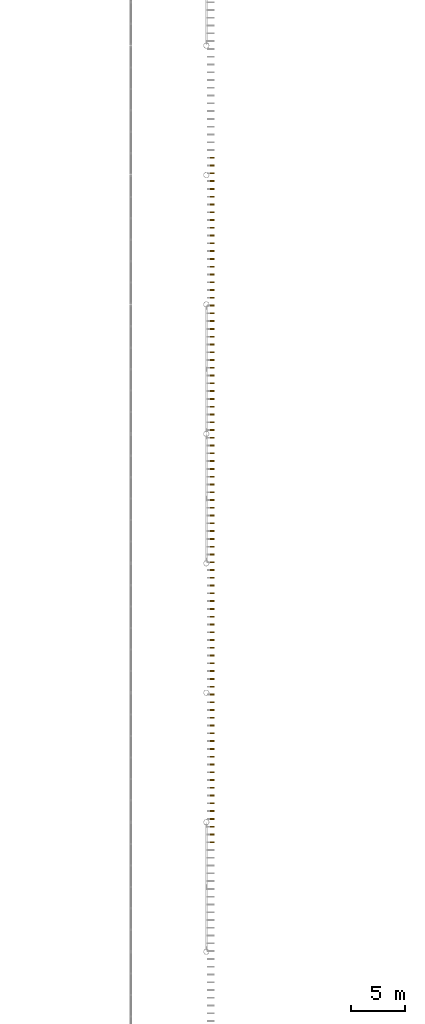
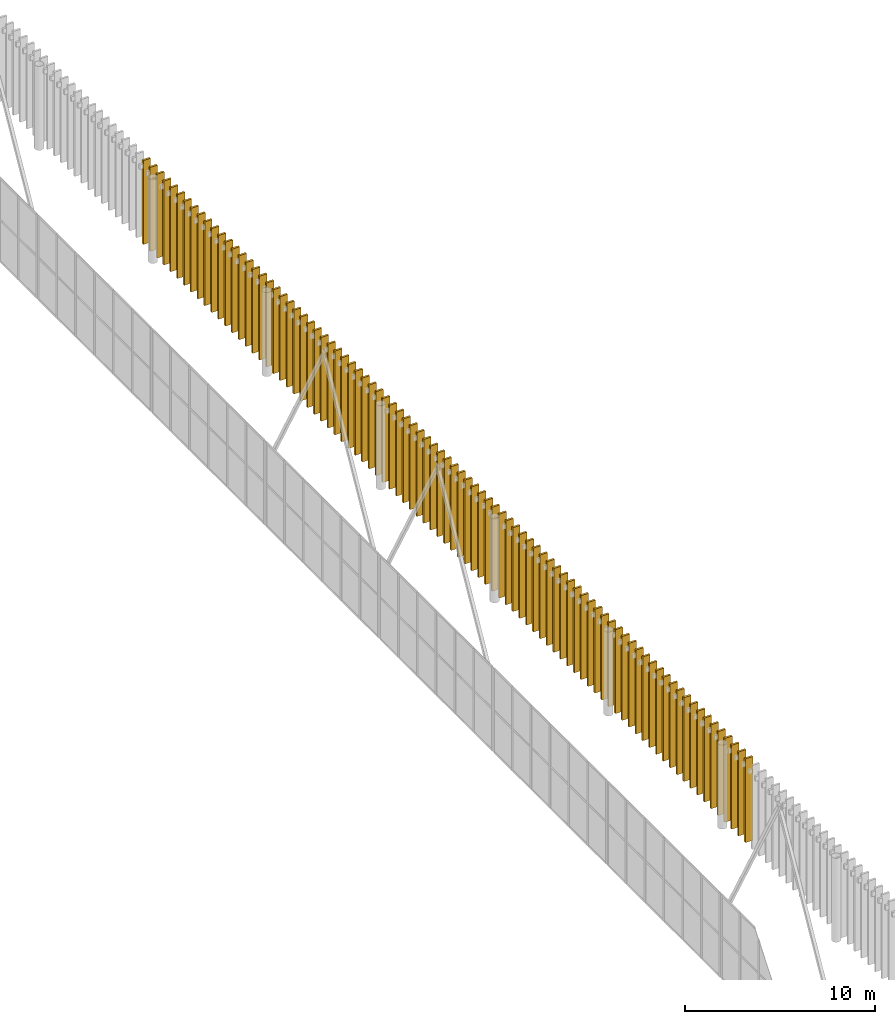
# One storey, part 160 of 170: 89 shading devices.
"""IFC4 building model written with IfcOpenShell, lengths in metres."""

from ifc_helpers import new_model, si_unit, direction, frame, origin, origin_2d, place, context, subcontext, project, spatial, rectangle, extrude, material, layer, layer_set, type_object, element, save


model = new_model("IFC4")

# Units and contexts
model_context = context("Model", 3, precision=1e-05, world=origin(), true_north=direction((0.0, 1.0)))
body_context = subcontext(model_context, "Body", "Model", "MODEL_VIEW")
ifc_project = project(units=[si_unit("LENGTHUNIT", "METRE"), si_unit("AREAUNIT", "SQUARE_METRE"), si_unit("VOLUMEUNIT", "CUBIC_METRE"), si_unit("PLANEANGLEUNIT", "RADIAN"), si_unit("MASSUNIT", "GRAM", prefix="KILO")], contexts=[model_context])

# Site, building, storey
site_placement = place(None, origin())
site = spatial("IfcSite", under=ifc_project, at=site_placement, CompositionType="ELEMENT")
building_placement = place(site_placement, origin())
building = spatial("IfcBuilding", under=site, at=building_placement, Name="Ravi Spectrum Wholesale Market", CompositionType="ELEMENT")
storey_placement = place(building_placement, frame((0.0, 0.0, 5.39990234375)))
storey = spatial("IfcBuildingStorey", under=building, at=storey_placement, Name="L01", CompositionType="ELEMENT", Elevation=5.39990234375)

# Shading devices
ifc_material_1 = material(Name="Glazed ceramic lime 09")
ifc_layer_1 = layer(ifc_material_1, 0.1201171875)
ifc_layer_set_1 = layer_set([ifc_layer_1], Name="Glazed ceramic lime 09")
shading_device_type_1 = type_object("IfcShadingDeviceType", Name="Glazed ceramic fin 09", PredefinedType="USERDEFINED", material=ifc_layer_set_1)
for number, where, z_axis, x_axis, name in (
    (1, (110.52490234375, 76.14599609375, 0.000244140625), (0.0, 0.0, 1.0), (0.0, 1.0, 0.0), "Fin F418 Glazed ceramic lime 09"),
    (2, (110.52490234375, 76.866943359375, 0.000244140625), (0.0, 0.0, 1.0), (0.0, 1.0, 0.0), "Fin F419 Glazed ceramic lime 09"),
    (3, (110.52490234375, 77.587890625, 0.000244140625), (0.0, 0.0, 1.0), (0.0, 1.0, 0.0), "Fin F420 Glazed ceramic lime 09"),
    (4, (110.52490234375, 78.30908203125, 0.000244140625), (0.0, 0.0, 1.0), (0.0, 1.0, 0.0), "Fin F421 Glazed ceramic lime 09"),
    (5, (110.52490234375, 79.030029296875, 0.000244140625), (0.0, 0.0, 1.0), (0.0, 1.0, 0.0), "Fin F422 Glazed ceramic lime 09"),
    (6, (110.52490234375, 79.7509765625, 0.000244140625), (0.0, 0.0, 1.0), (0.0, 1.0, 0.0), "Fin F423 Glazed ceramic lime 09"),
    (7, (110.52490234375, 80.47216796875, 0.000244140625), (0.0, 0.0, 1.0), (0.0, 1.0, 0.0), "Fin F424 Glazed ceramic lime 09"),
    (8, (110.52490234375, 81.193115234375, 0.000244140625), (0.0, 0.0, 1.0), (0.0, 1.0, 0.0), "Fin F425 Glazed ceramic lime 09"),
    (9, (110.52490234375, 81.9140625, 0.000244140625), (0.0, 0.0, 1.0), (0.0, 1.0, 0.0), "Fin F426 Glazed ceramic lime 09"),
):
    element("IfcShadingDevice", number, at=place(storey_placement, frame(where, z_axis=z_axis, x_axis=x_axis)), inside=storey, type_object=shading_device_type_1, Name=name, ObjectType="FIN", PredefinedType="USERDEFINED", context=body_context, shape_type="SweptSolid", body=[
        extrude(rectangle(XDim=0.1201171875, YDim=0.449951171875, at=origin_2d()), origin(), (0.0, 0.0, 1.0), 5.39990234375),
    ])
ifc_material_2 = material(Name="Glazed ceramic green 10")
ifc_layer_2 = layer(ifc_material_2, 0.1201171875)
ifc_layer_set_2 = layer_set([ifc_layer_2], Name="Glazed ceramic green 10")
shading_device_type_2 = type_object("IfcShadingDeviceType", Name="Glazed ceramic fin 10", PredefinedType="USERDEFINED", material=ifc_layer_set_2)
for number, where, z_axis, x_axis, name in (
    (10, (110.52490234375, 82.63525390625, 0.000244140625), (0.0, 0.0, 1.0), (0.0, 1.0, 0.0), "Fin F427 Glazed ceramic green 10"),
    (11, (110.52490234375, 83.356201171875, 0.000244140625), (0.0, 0.0, 1.0), (0.0, 1.0, 0.0), "Fin F428 Glazed ceramic green 10"),
    (12, (110.52490234375, 84.0771484375, 0.000244140625), (0.0, 0.0, 1.0), (0.0, 1.0, 0.0), "Fin F429 Glazed ceramic green 10"),
    (13, (110.52490234375, 84.79833984375, 0.000244140625), (0.0, 0.0, 1.0), (0.0, 1.0, 0.0), "Fin F430 Glazed ceramic green 10"),
    (14, (110.52490234375, 85.519287109375, 0.000244140625), (0.0, 0.0, 1.0), (0.0, 1.0, 0.0), "Fin F431 Glazed ceramic green 10"),
    (15, (110.52490234375, 86.240234375, 0.000244140625), (0.0, 0.0, 1.0), (0.0, 1.0, 0.0), "Fin F432 Glazed ceramic green 10"),
    (16, (110.52490234375, 86.96142578125, 0.000244140625), (0.0, 0.0, 1.0), (0.0, 1.0, 0.0), "Fin F433 Glazed ceramic green 10"),
    (17, (110.52490234375, 87.682373046875, 0.000244140625), (0.0, 0.0, 1.0), (0.0, 1.0, 0.0), "Fin F434 Glazed ceramic green 10"),
    (18, (110.52490234375, 88.4033203125, 0.000244140625), (0.0, 0.0, 1.0), (0.0, 1.0, 0.0), "Fin F435 Glazed ceramic green 10"),
    (19, (110.52490234375, 89.12451171875, 0.000244140625), (0.0, 0.0, 1.0), (0.0, 1.0, 0.0), "Fin F436 Glazed ceramic green 10"),
):
    element("IfcShadingDevice", number, at=place(storey_placement, frame(where, z_axis=z_axis, x_axis=x_axis)), inside=storey, type_object=shading_device_type_2, Name=name, ObjectType="FIN", PredefinedType="USERDEFINED", context=body_context, shape_type="SweptSolid", body=[
        extrude(rectangle(XDim=0.1201171875, YDim=0.449951171875, at=origin_2d()), origin(), (0.0, 0.0, 1.0), 5.39990234375),
    ])
ifc_material_3 = material(Name="Glazed ceramic green 11")
ifc_layer_3 = layer(ifc_material_3, 0.1201171875)
ifc_layer_set_3 = layer_set([ifc_layer_3], Name="Glazed ceramic green 11")
shading_device_type_3 = type_object("IfcShadingDeviceType", Name="Glazed ceramic fin 11", PredefinedType="USERDEFINED", material=ifc_layer_set_3)
for number, where, z_axis, x_axis, name in (
    (20, (110.52490234375, 89.845458984375, 0.000244140625), (0.0, 0.0, 1.0), (0.0, 1.0, 0.0), "Fin F437 Glazed ceramic green 11"),
    (21, (110.52490234375, 90.56640625, 0.000244140625), (0.0, 0.0, 1.0), (0.0, 1.0, 0.0), "Fin F438 Glazed ceramic green 11"),
    (22, (110.52490234375, 91.28759765625, 0.000244140625), (0.0, 0.0, 1.0), (0.0, 1.0, 0.0), "Fin F439 Glazed ceramic green 11"),
    (23, (110.52490234375, 92.008544921875, 0.000244140625), (0.0, 0.0, 1.0), (0.0, 1.0, 0.0), "Fin F440 Glazed ceramic green 11"),
    (24, (110.52490234375, 92.7294921875, 0.000244140625), (0.0, 0.0, 1.0), (0.0, 1.0, 0.0), "Fin F441 Glazed ceramic green 11"),
    (25, (110.52490234375, 93.45068359375, 0.000244140625), (0.0, 0.0, 1.0), (0.0, 1.0, 0.0), "Fin F442 Glazed ceramic green 11"),
    (26, (110.52490234375, 94.171630859375, 0.000244140625), (0.0, 0.0, 1.0), (0.0, 1.0, 0.0), "Fin F443 Glazed ceramic green 11"),
    (27, (110.52490234375, 94.892822265625, 0.000244140625), (0.0, 0.0, 1.0), (0.0, 1.0, 0.0), "Fin F444 Glazed ceramic green 11"),
    (28, (110.52490234375, 95.61376953125, 0.000244140625), (0.0, 0.0, 1.0), (0.0, 1.0, 0.0), "Fin F445 Glazed ceramic green 11"),
    (29, (110.52490234375, 96.334716796875, 0.000244140625), (0.0, 0.0, 1.0), (0.0, 1.0, 0.0), "Fin F446 Glazed ceramic green 11"),
    (30, (110.52490234375, 97.055908203125, 0.000244140625), (0.0, 0.0, 1.0), (0.0, 1.0, 0.0), "Fin F447 Glazed ceramic green 11"),
):
    element("IfcShadingDevice", number, at=place(storey_placement, frame(where, z_axis=z_axis, x_axis=x_axis)), inside=storey, type_object=shading_device_type_3, Name=name, ObjectType="FIN", PredefinedType="USERDEFINED", context=body_context, shape_type="SweptSolid", body=[
        extrude(rectangle(XDim=0.1201171875, YDim=0.449951171875, at=origin_2d()), origin(), (0.0, 0.0, 1.0), 5.39990234375),
    ])
ifc_material_4 = material(Name="Glazed ceramic green 12")
ifc_layer_4 = layer(ifc_material_4, 0.1201171875)
ifc_layer_set_4 = layer_set([ifc_layer_4], Name="Glazed ceramic green 12")
shading_device_type_4 = type_object("IfcShadingDeviceType", Name="Glazed ceramic fin 12", PredefinedType="USERDEFINED", material=ifc_layer_set_4)
for number, where, z_axis, x_axis, name in (
    (31, (110.52490234375, 97.77685546875, 0.000244140625), (0.0, 0.0, 1.0), (0.0, 1.0, 0.0), "Fin F448 Glazed ceramic green 12"),
    (32, (110.52490234375, 98.497802734375, 0.000244140625), (0.0, 0.0, 1.0), (0.0, 1.0, 0.0), "Fin F449 Glazed ceramic green 12"),
    (33, (110.52490234375, 99.218994140625, 0.000244140625), (0.0, 0.0, 1.0), (0.0, 1.0, 0.0), "Fin F450 Glazed ceramic green 12"),
    (34, (110.52490234375, 99.93994140625, 0.000244140625), (0.0, 0.0, 1.0), (0.0, 1.0, 0.0), "Fin F451 Glazed ceramic green 12"),
    (35, (110.52490234375, 100.660888671875, 0.000244140625), (0.0, 0.0, 1.0), (0.0, 1.0, 0.0), "Fin F452 Glazed ceramic green 12"),
    (36, (110.52490234375, 101.382080078125, 0.000244140625), (0.0, 0.0, 1.0), (0.0, 1.0, 0.0), "Fin F453 Glazed ceramic green 12"),
    (37, (110.52490234375, 102.10302734375, 0.000244140625), (0.0, 0.0, 1.0), (0.0, 1.0, 0.0), "Fin F454 Glazed ceramic green 12"),
    (38, (110.52490234375, 102.823974609375, 0.000244140625), (0.0, 0.0, 1.0), (0.0, 1.0, 0.0), "Fin F455 Glazed ceramic green 12"),
    (39, (110.52490234375, 103.545166015625, 0.000244140625), (0.0, 0.0, 1.0), (0.0, 1.0, 0.0), "Fin F456 Glazed ceramic green 12"),
    (40, (110.52490234375, 104.26611328125, 0.000244140625), (0.0, 0.0, 1.0), (0.0, 1.0, 0.0), "Fin F457 Glazed ceramic green 12"),
    (41, (110.52490234375, 104.987060546875, 0.000244140625), (0.0, 0.0, 1.0), (0.0, 1.0, 0.0), "Fin F458 Glazed ceramic green 12"),
):
    element("IfcShadingDevice", number, at=place(storey_placement, frame(where, z_axis=z_axis, x_axis=x_axis)), inside=storey, type_object=shading_device_type_4, Name=name, ObjectType="FIN", PredefinedType="USERDEFINED", context=body_context, shape_type="SweptSolid", body=[
        extrude(rectangle(XDim=0.1201171875, YDim=0.449951171875, at=origin_2d()), origin(), (0.0, 0.0, 1.0), 5.39990234375),
    ])
ifc_material_5 = material(Name="Glazed ceramic emerald 13")
ifc_layer_5 = layer(ifc_material_5, 0.1201171875)
ifc_layer_set_5 = layer_set([ifc_layer_5], Name="Glazed ceramic emerald 13")
shading_device_type_5 = type_object("IfcShadingDeviceType", Name="Glazed ceramic fin 13", PredefinedType="USERDEFINED", material=ifc_layer_set_5)
for number, where, z_axis, x_axis, name in (
    (42, (110.52490234375, 105.708251953125, 0.000244140625), (0.0, 0.0, 1.0), (0.0, 1.0, 0.0), "Fin F459 Glazed ceramic emerald 13"),
    (43, (110.52490234375, 106.42919921875, 0.000244140625), (0.0, 0.0, 1.0), (0.0, 1.0, 0.0), "Fin F460 Glazed ceramic emerald 13"),
    (44, (110.52490234375, 107.150146484375, 0.000244140625), (0.0, 0.0, 1.0), (0.0, 1.0, 0.0), "Fin F461 Glazed ceramic emerald 13"),
    (45, (110.52490234375, 107.871337890625, 0.000244140625), (0.0, 0.0, 1.0), (0.0, 1.0, 0.0), "Fin F462 Glazed ceramic emerald 13"),
    (46, (110.52490234375, 108.59228515625, 0.000244140625), (0.0, 0.0, 1.0), (0.0, 1.0, 0.0), "Fin F463 Glazed ceramic emerald 13"),
    (47, (110.52490234375, 109.313232421875, 0.000244140625), (0.0, 0.0, 1.0), (0.0, 1.0, 0.0), "Fin F464 Glazed ceramic emerald 13"),
    (48, (110.52490234375, 110.034423828125, 0.000244140625), (0.0, 0.0, 1.0), (0.0, 1.0, 0.0), "Fin F465 Glazed ceramic emerald 13"),
    (49, (110.52490234375, 110.75537109375, 0.000244140625), (0.0, 0.0, 1.0), (0.0, 1.0, 0.0), "Fin F466 Glazed ceramic emerald 13"),
    (50, (110.52490234375, 111.476318359375, 0.000244140625), (0.0, 0.0, 1.0), (0.0, 1.0, 0.0), "Fin F467 Glazed ceramic emerald 13"),
    (51, (110.52490234375, 112.197509765625, 0.000244140625), (0.0, 0.0, 1.0), (0.0, 1.0, 0.0), "Fin F468 Glazed ceramic emerald 13"),
):
    element("IfcShadingDevice", number, at=place(storey_placement, frame(where, z_axis=z_axis, x_axis=x_axis)), inside=storey, type_object=shading_device_type_5, Name=name, ObjectType="FIN", PredefinedType="USERDEFINED", context=body_context, shape_type="SweptSolid", body=[
        extrude(rectangle(XDim=0.1201171875, YDim=0.449951171875, at=origin_2d()), origin(), (0.0, 0.0, 1.0), 5.39990234375),
    ])
ifc_material_6 = material(Name="Glazed ceramic emerald 14")
ifc_layer_6 = layer(ifc_material_6, 0.1201171875)
ifc_layer_set_6 = layer_set([ifc_layer_6], Name="Glazed ceramic emerald 14")
shading_device_type_6 = type_object("IfcShadingDeviceType", Name="Glazed ceramic fin 14", PredefinedType="USERDEFINED", material=ifc_layer_set_6)
for number, where, z_axis, x_axis, name in (
    (52, (110.52490234375, 112.91845703125, 0.000244140625), (0.0, 0.0, 1.0), (0.0, 1.0, 0.0), "Fin F469 Glazed ceramic emerald 14"),
    (53, (110.52490234375, 113.639404296875, 0.000244140625), (0.0, 0.0, 1.0), (0.0, 1.0, 0.0), "Fin F470 Glazed ceramic emerald 14"),
    (54, (110.52490234375, 114.360595703125, 0.000244140625), (0.0, 0.0, 1.0), (0.0, 1.0, 0.0), "Fin F471 Glazed ceramic emerald 14"),
    (55, (110.52490234375, 115.08154296875, 0.000244140625), (0.0, 0.0, 1.0), (0.0, 1.0, 0.0), "Fin F472 Glazed ceramic emerald 14"),
    (56, (110.52490234375, 115.802490234375, 0.000244140625), (0.0, 0.0, 1.0), (0.0, 1.0, 0.0), "Fin F473 Glazed ceramic emerald 14"),
    (57, (110.52490234375, 116.523681640625, 0.000244140625), (0.0, 0.0, 1.0), (0.0, 1.0, 0.0), "Fin F474 Glazed ceramic emerald 14"),
    (58, (110.52490234375, 117.24462890625, 0.000244140625), (0.0, 0.0, 1.0), (0.0, 1.0, 0.0), "Fin F475 Glazed ceramic emerald 14"),
    (59, (110.52490234375, 117.965576171875, 0.000244140625), (0.0, 0.0, 1.0), (0.0, 1.0, 0.0), "Fin F476 Glazed ceramic emerald 14"),
    (60, (110.52490234375, 118.686767578125, 0.000244140625), (0.0, 0.0, 1.0), (0.0, 1.0, 0.0), "Fin F477 Glazed ceramic emerald 14"),
    (61, (110.52490234375, 119.40771484375, 0.000244140625), (0.0, 0.0, 1.0), (0.0, 1.0, 0.0), "Fin F478 Glazed ceramic emerald 14"),
    (62, (110.52490234375, 120.128662109375, 0.000244140625), (0.0, 0.0, 1.0), (0.0, 1.0, 0.0), "Fin F479 Glazed ceramic emerald 14"),
):
    element("IfcShadingDevice", number, at=place(storey_placement, frame(where, z_axis=z_axis, x_axis=x_axis)), inside=storey, type_object=shading_device_type_6, Name=name, ObjectType="FIN", PredefinedType="USERDEFINED", context=body_context, shape_type="SweptSolid", body=[
        extrude(rectangle(XDim=0.1201171875, YDim=0.449951171875, at=origin_2d()), origin(), (0.0, 0.0, 1.0), 5.39990234375),
    ])
ifc_material_7 = material(Name="Glazed ceramic emerald 15")
ifc_layer_7 = layer(ifc_material_7, 0.1201171875)
ifc_layer_set_7 = layer_set([ifc_layer_7], Name="Glazed ceramic emerald 15")
shading_device_type_7 = type_object("IfcShadingDeviceType", Name="Glazed ceramic fin 15", PredefinedType="USERDEFINED", material=ifc_layer_set_7)
for number, where, z_axis, x_axis, name in (
    (63, (110.52490234375, 120.849853515625, 0.000244140625), (0.0, 0.0, 1.0), (0.0, 1.0, 0.0), "Fin F480 Glazed ceramic emerald 15"),
    (64, (110.52490234375, 121.57080078125, 0.000244140625), (0.0, 0.0, 1.0), (0.0, 1.0, 0.0), "Fin F481 Glazed ceramic emerald 15"),
    (65, (110.52490234375, 122.291748046875, 0.000244140625), (0.0, 0.0, 1.0), (0.0, 1.0, 0.0), "Fin F482 Glazed ceramic emerald 15"),
    (66, (110.52490234375, 123.012939453125, 0.000244140625), (0.0, 0.0, 1.0), (0.0, 1.0, 0.0), "Fin F483 Glazed ceramic emerald 15"),
    (67, (110.52490234375, 123.73388671875, 0.000244140625), (0.0, 0.0, 1.0), (0.0, 1.0, 0.0), "Fin F484 Glazed ceramic emerald 15"),
    (68, (110.52490234375, 124.454833984375, 0.000244140625), (0.0, 0.0, 1.0), (0.0, 1.0, 0.0), "Fin F485 Glazed ceramic emerald 15"),
    (69, (110.52490234375, 125.176025390625, 0.000244140625), (0.0, 0.0, 1.0), (0.0, 1.0, 0.0), "Fin F486 Glazed ceramic emerald 15"),
    (70, (110.52490234375, 125.89697265625, 0.000244140625), (0.0, 0.0, 1.0), (0.0, 1.0, 0.0), "Fin F487 Glazed ceramic emerald 15"),
    (71, (110.52490234375, 126.617919921875, 0.000244140625), (0.0, 0.0, 1.0), (0.0, 1.0, 0.0), "Fin F488 Glazed ceramic emerald 15"),
    (72, (110.52490234375, 127.339111328125, 0.000244140625), (0.0, 0.0, 1.0), (0.0, 1.0, 0.0), "Fin F489 Glazed ceramic emerald 15"),
    (73, (110.52490234375, 128.06005859375, 0.000244140625), (0.0, 0.0, 1.0), (0.0, 1.0, 0.0), "Fin F490 Glazed ceramic emerald 15"),
):
    element("IfcShadingDevice", number, at=place(storey_placement, frame(where, z_axis=z_axis, x_axis=x_axis)), inside=storey, type_object=shading_device_type_7, Name=name, ObjectType="FIN", PredefinedType="USERDEFINED", context=body_context, shape_type="SweptSolid", body=[
        extrude(rectangle(XDim=0.1201171875, YDim=0.449951171875, at=origin_2d()), origin(), (0.0, 0.0, 1.0), 5.39990234375),
    ])
ifc_material_8 = material(Name="Glazed ceramic teal 16")
ifc_layer_8 = layer(ifc_material_8, 0.1201171875)
ifc_layer_set_8 = layer_set([ifc_layer_8], Name="Glazed ceramic teal 16")
shading_device_type_8 = type_object("IfcShadingDeviceType", Name="Glazed ceramic fin 16", PredefinedType="USERDEFINED", material=ifc_layer_set_8)
for number, where, z_axis, x_axis, name in (
    (74, (110.52490234375, 128.781005859375, 0.000244140625), (0.0, 0.0, 1.0), (0.0, 1.0, 0.0), "Fin F491 Glazed ceramic teal 16"),
    (75, (110.52490234375, 129.502197265625, 0.000244140625), (0.0, 0.0, 1.0), (0.0, 1.0, 0.0), "Fin F492 Glazed ceramic teal 16"),
    (76, (110.52490234375, 130.22314453125, 0.000244140625), (0.0, 0.0, 1.0), (0.0, 1.0, 0.0), "Fin F493 Glazed ceramic teal 16"),
    (77, (110.52490234375, 130.944091796875, 0.000244140625), (0.0, 0.0, 1.0), (0.0, 1.0, 0.0), "Fin F494 Glazed ceramic teal 16"),
    (78, (110.52490234375, 131.665283203125, 0.000244140625), (0.0, 0.0, 1.0), (0.0, 1.0, 0.0), "Fin F495 Glazed ceramic teal 16"),
    (79, (110.52490234375, 132.38623046875, 0.000244140625), (0.0, 0.0, 1.0), (0.0, 1.0, 0.0), "Fin F496 Glazed ceramic teal 16"),
    (80, (110.52490234375, 133.107177734375, 0.000244140625), (0.0, 0.0, 1.0), (0.0, 1.0, 0.0), "Fin F497 Glazed ceramic teal 16"),
    (81, (110.52490234375, 133.828369140625, 0.000244140625), (0.0, 0.0, 1.0), (0.0, 1.0, 0.0), "Fin F498 Glazed ceramic teal 16"),
    (82, (110.52490234375, 134.54931640625, 0.000244140625), (0.0, 0.0, 1.0), (0.0, 1.0, 0.0), "Fin F499 Glazed ceramic teal 16"),
    (83, (110.52490234375, 135.2705078125, 0.000244140625), (0.0, 0.0, 1.0), (0.0, 1.0, 0.0), "Fin F500 Glazed ceramic teal 16"),
    (84, (110.52490234375, 135.991455078125, 0.000244140625), (0.0, 0.0, 1.0), (0.0, 1.0, 0.0), "Fin F501 Glazed ceramic teal 16"),
):
    element("IfcShadingDevice", number, at=place(storey_placement, frame(where, z_axis=z_axis, x_axis=x_axis)), inside=storey, type_object=shading_device_type_8, Name=name, ObjectType="FIN", PredefinedType="USERDEFINED", context=body_context, shape_type="SweptSolid", body=[
        extrude(rectangle(XDim=0.1201171875, YDim=0.449951171875, at=origin_2d()), origin(), (0.0, 0.0, 1.0), 5.39990234375),
    ])
ifc_material_9 = material(Name="Glazed ceramic teal 17")
ifc_layer_9 = layer(ifc_material_9, 0.1201171875)
ifc_layer_set_9 = layer_set([ifc_layer_9], Name="Glazed ceramic teal 17")
shading_device_type_9 = type_object("IfcShadingDeviceType", Name="Glazed ceramic fin 17", PredefinedType="USERDEFINED", material=ifc_layer_set_9)
for number, where, z_axis, x_axis, name in (
    (85, (110.52490234375, 136.71240234375, 0.000244140625), (0.0, 0.0, 1.0), (0.0, 1.0, 0.0), "Fin F502 Glazed ceramic teal 17"),
    (86, (110.52490234375, 137.43359375, 0.000244140625), (0.0, 0.0, 1.0), (0.0, 1.0, 0.0), "Fin F503 Glazed ceramic teal 17"),
    (87, (110.52490234375, 138.154541015625, 0.000244140625), (0.0, 0.0, 1.0), (0.0, 1.0, 0.0), "Fin F504 Glazed ceramic teal 17"),
    (88, (110.52490234375, 138.87548828125, 0.000244140625), (0.0, 0.0, 1.0), (0.0, 1.0, 0.0), "Fin F505 Glazed ceramic teal 17"),
    (89, (110.52490234375, 139.5966796875, 0.000244140625), (0.0, 0.0, 1.0), (0.0, 1.0, 0.0), "Fin F506 Glazed ceramic teal 17"),
):
    element("IfcShadingDevice", number, at=place(storey_placement, frame(where, z_axis=z_axis, x_axis=x_axis)), inside=storey, type_object=shading_device_type_9, Name=name, ObjectType="FIN", PredefinedType="USERDEFINED", context=body_context, shape_type="SweptSolid", body=[
        extrude(rectangle(XDim=0.1201171875, YDim=0.449951171875, at=origin_2d()), origin(), (0.0, 0.0, 1.0), 5.39990234375),
    ])

save(model, "model.ifc")
